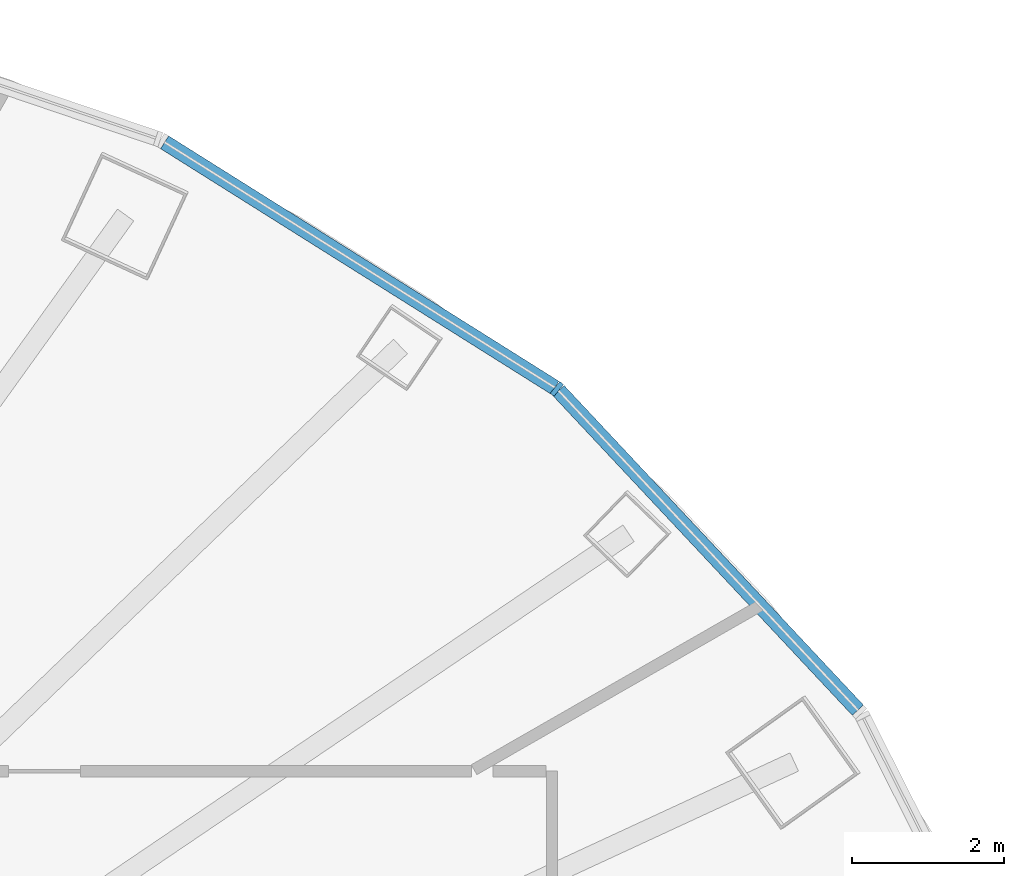
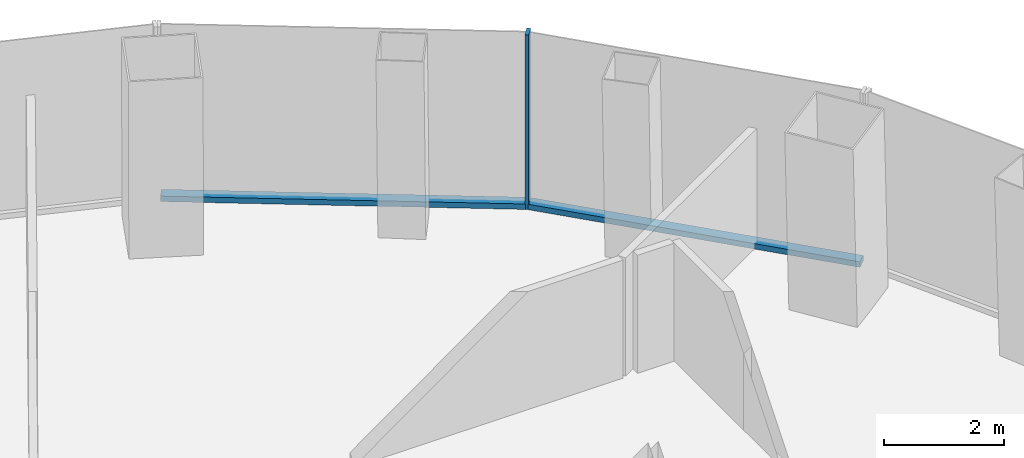
# One storey, part 6 of 11: 3 members, 1 element without a shape of its own.
"""IFC4 building model written with IfcOpenShell, lengths in metres."""

from ifc_helpers import new_model, si_unit, direction, frame, origin, origin_2d, place, context, subcontext, project, spatial, rectangle, extrude, material, layer, layer_set, material_profile, profile_set, type_object, element, aggregate, save


model = new_model("IFC4")

# Units and contexts
model_context = context("Model", 3, precision=1e-05, world=origin(), true_north=direction((0.0, 1.0)))
body_context = subcontext(model_context, "Body", "Model", "MODEL_VIEW")
ifc_project = project(units=[si_unit("LENGTHUNIT", "METRE"), si_unit("AREAUNIT", "SQUARE_METRE"), si_unit("VOLUMEUNIT", "CUBIC_METRE"), si_unit("PLANEANGLEUNIT", "RADIAN"), si_unit("MASSUNIT", "GRAM", prefix="KILO")], contexts=[model_context])

# Site, building, storey
site_placement = place(None, origin())
site = spatial("IfcSite", under=ifc_project, at=site_placement, CompositionType="ELEMENT")
building_placement = place(site_placement, origin())
building = spatial("IfcBuilding", under=site, at=building_placement, Name="Siaravel Broadcast Tower", CompositionType="ELEMENT")
storey_placement = place(building_placement, frame((0.0, 0.0, 123.0)))
storey = spatial("IfcBuildingStorey", under=building, at=storey_placement, Name="L29", CompositionType="ELEMENT", Elevation=123.0)

# Curtain wall, members
ifc_material = material(Name="Aluminium 6063-T6", Category="aluminium")
ifc_layer = layer(ifc_material, 0.199951171875)
ifc_layer_set = layer_set([ifc_layer], Name="Aluminium 6063-T6")
curtain_wall_type = type_object("IfcCurtainWallType", Name="Unitised curtain wall, zone 2", PredefinedType="NOTDEFINED", material=ifc_layer_set)
curtain_wall_placement = place(storey_placement, origin())
curtain_wall = element("IfcCurtainWall", 1, at=curtain_wall_placement, inside=storey, type_object=curtain_wall_type, Name="L29 Unitised curtain wall, zone 2 02", PredefinedType="NOTDEFINED")
ifc_material_profile_1 = material_profile(ifc_material, rectangle(XDim=0.199951171875, YDim=0.06494140625, at=origin_2d()))
ifc_profile_set_1 = profile_set([ifc_material_profile_1], Name="Aluminium 6063-T6")
member_type_1 = type_object("IfcMemberType", Name="CW-Z2 mullion", PredefinedType="MULLION", material=ifc_profile_set_1)
member_1_placement = place(storey_placement, frame((17.86572265625, 14.646728515625, 0.0), z_axis=(0.0, 0.0, 1.0), x_axis=(-0.636218518, -0.771508909, 0.0)))
member_1 = element("IfcMember", 2, at=member_1_placement, type_object=member_type_1, Name="CW-Z2 mullion 2", PredefinedType="MULLION", context=body_context, shape_type="SweptSolid", body=[
    extrude(rectangle(XDim=0.199951171875, YDim=0.06494140625, at=origin_2d()), origin(), (0.0, 0.0, 1.0), 3.550048828125),
])
ifc_material_profile_2 = material_profile(ifc_material, rectangle(XDim=0.199951171875, YDim=0.110107421875, at=origin_2d()))
ifc_profile_set_2 = profile_set([ifc_material_profile_2], Name="Aluminium 6063-T6")
member_type_2 = type_object("IfcMemberType", Name="CW-Z2 transom", PredefinedType="USERDEFINED", material=ifc_profile_set_2)
member_2_placement = place(storey_placement, frame((21.83837890625, 10.40576171875, 0.054931640625), z_axis=(-0.683640317, 0.729819099, 0.0), x_axis=(-0.729819099, -0.683640317, 0.0)))
member_2 = element("IfcMember", 3, at=member_2_placement, type_object=member_type_2, Name="CW-Z2 transom 1", ObjectType="TRANSOM", PredefinedType="USERDEFINED", context=body_context, shape_type="SweptSolid", body=[
    extrude(rectangle(XDim=0.199951171875, YDim=0.110107421875, at=origin_2d()), origin(), (0.0, 0.0, 1.0), 5.778564453125),
])
member_3_placement = place(storey_placement, frame((17.838134765625, 14.6640625, 0.054931640625), z_axis=(-0.846658761, 0.532136207, 0.0), x_axis=(-0.532136207, -0.846658761, 0.0)))
member_3 = element("IfcMember", 4, at=member_3_placement, type_object=member_type_2, Name="CW-Z2 transom 2", ObjectType="TRANSOM", PredefinedType="USERDEFINED", context=body_context, shape_type="SweptSolid", body=[
    extrude(rectangle(XDim=0.199951171875, YDim=0.110107421875, at=origin_2d()), origin(), (0.0, 0.0, 1.0), 6.083984375),
])
aggregate(curtain_wall, [member_1, member_2, member_3])

save(model, "model.ifc")
